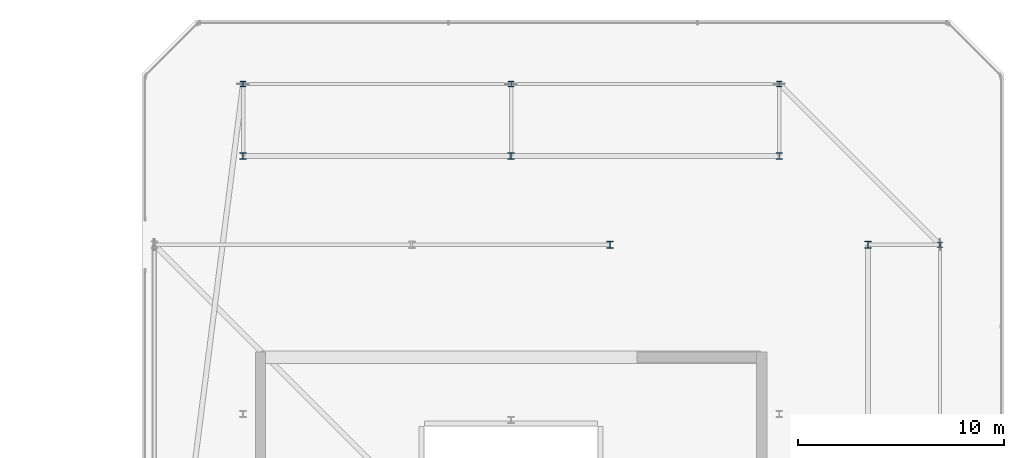
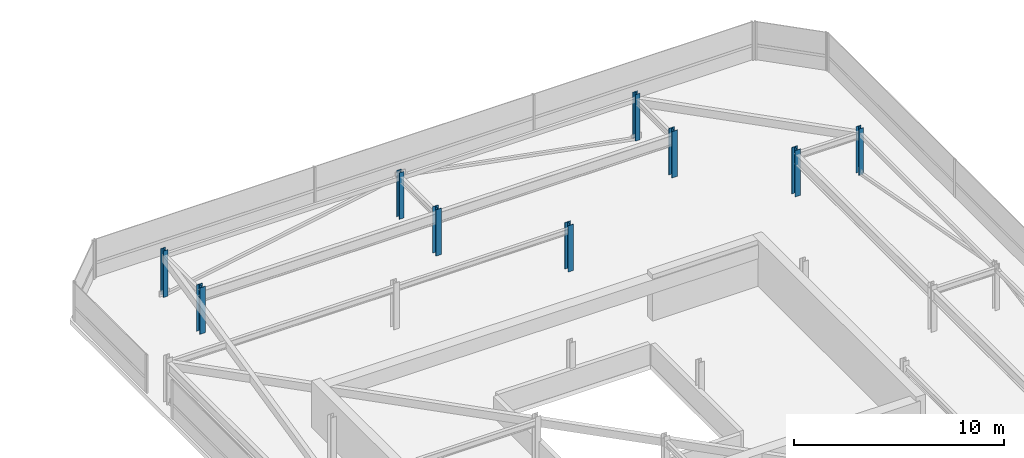
# One storey, part 8 of 44: 9 columns.
"""IFC4 building model written with IfcOpenShell, lengths in metres."""

from ifc_helpers import new_model, si_unit, direction, frame, origin, origin_2d, place, context, subcontext, project, spatial, i_section, extrude, material, material_profile, profile_set, type_object, element, save


model = new_model("IFC4")

# Units and contexts
model_context = context("Model", 3, precision=1e-05, world=origin(), true_north=direction((0.0, 1.0)))
body_context = subcontext(model_context, "Body", "Model", "MODEL_VIEW")
ifc_project = project(units=[si_unit("LENGTHUNIT", "METRE"), si_unit("AREAUNIT", "SQUARE_METRE"), si_unit("VOLUMEUNIT", "CUBIC_METRE"), si_unit("PLANEANGLEUNIT", "RADIAN"), si_unit("MASSUNIT", "GRAM", prefix="KILO")], contexts=[model_context])

# Site, building, storey
site_placement = place(None, origin())
site = spatial("IfcSite", under=ifc_project, at=site_placement, CompositionType="ELEMENT")
building_placement = place(site_placement, origin())
building = spatial("IfcBuilding", under=site, at=building_placement, Name="Thornwick Lancets Civic Towers", CompositionType="ELEMENT")
storey_placement = place(building_placement, frame((0.0, 0.0, 294.89990234375)))
storey = spatial("IfcBuildingStorey", under=building, at=storey_placement, Name="C06", CompositionType="ELEMENT", Elevation=294.89990234375)

# Columns
ifc_material = material(Name="Steel S355JR", Category="steel")
ifc_material_profile_1 = material_profile(ifc_material, i_section(OverallWidth=0.30908203125, OverallDepth=0.320556640625, WebThickness=0.013916015625, FlangeThickness=0.021728515625, FilletRadius=0.01513671875, at=origin_2d()), Name="UKC 305x305x137")
ifc_profile_set_1 = profile_set([ifc_material_profile_1], Name="Steel S355JR")
column_type_1 = type_object("IfcColumnType", Name="COL_UKC_137", PredefinedType="COLUMN", material=ifc_profile_set_1)
for number, where, z_axis, x_axis, name in (
    (1, (105.800048828125, 40.0, 0.0), (0.0, 0.0, 1.0), (1.0, 0.0, 0.0), "C06 Spine Mega-Column B03"),
    (2, (101.5, 44.300048828125, 0.0), (0.0, 0.0, 1.0), (1.0, 0.0, 0.0), "C06 Spine Mega-Column B04"),
    (3, (88.5, 44.300048828125, 0.0), (0.0, 0.0, 1.0), (1.0, 0.0, 0.0), "C06 Spine Mega-Column B05"),
    (4, (75.5, 44.300048828125, 0.0), (0.0, 0.0, 1.0), (1.0, 0.0, 0.0), "C06 Spine Mega-Column B06"),
    (5, (93.300048828125, 40.0, 0.0), (0.0, 0.0, 1.0), (1.0, 0.0, 0.0), "C06 Spine Mega-Column B14"),
):
    element("IfcColumn", number, at=place(storey_placement, frame(where, z_axis=z_axis, x_axis=x_axis)), inside=storey, type_object=column_type_1, Name=name, PredefinedType="COLUMN", context=body_context, shape_type="SweptSolid", body=[
        extrude(i_section(OverallWidth=0.30908203125, OverallDepth=0.320556640625, WebThickness=0.013916015625, FlangeThickness=0.021728515625, FilletRadius=0.01513671875, at=origin_2d()), origin(), (0.0, 0.0, 1.0), 2.7001953125),
    ])
ifc_material_profile_2 = material_profile(ifc_material, i_section(OverallWidth=0.25634765625, OverallDepth=0.26025390625, WebThickness=0.01025390625, FlangeThickness=0.017333984375, FilletRadius=0.0126953125, at=origin_2d()), Name="UKC 254x254x89")
ifc_profile_set_2 = profile_set([ifc_material_profile_2], Name="Steel S355JR")
column_type_2 = type_object("IfcColumnType", Name="COL_UKC_89", PredefinedType="COLUMN", material=ifc_profile_set_2)
for number, where, z_axis, x_axis, name in (
    (6, (109.300048828125, 40.0, 0.0), (0.0, 0.0, 1.0), (1.0, 0.0, 0.0), "C06 Block Perimeter Column B03"),
    (7, (101.5, 47.800048828125, 0.0), (0.0, 0.0, 1.0), (1.0, 0.0, 0.0), "C06 Block Perimeter Column B04"),
    (8, (88.5, 47.800048828125, 0.0), (0.0, 0.0, 1.0), (1.0, 0.0, 0.0), "C06 Block Perimeter Column B05"),
    (9, (75.5, 47.800048828125, 0.0), (0.0, 0.0, 1.0), (1.0, 0.0, 0.0), "C06 Block Perimeter Column B06"),
):
    element("IfcColumn", number, at=place(storey_placement, frame(where, z_axis=z_axis, x_axis=x_axis)), inside=storey, type_object=column_type_2, Name=name, PredefinedType="COLUMN", context=body_context, shape_type="SweptSolid", body=[
        extrude(i_section(OverallWidth=0.25634765625, OverallDepth=0.26025390625, WebThickness=0.01025390625, FlangeThickness=0.017333984375, FilletRadius=0.0126953125, at=origin_2d()), origin(), (0.0, 0.0, 1.0), 2.7001953125),
    ])

save(model, "model.ifc")
